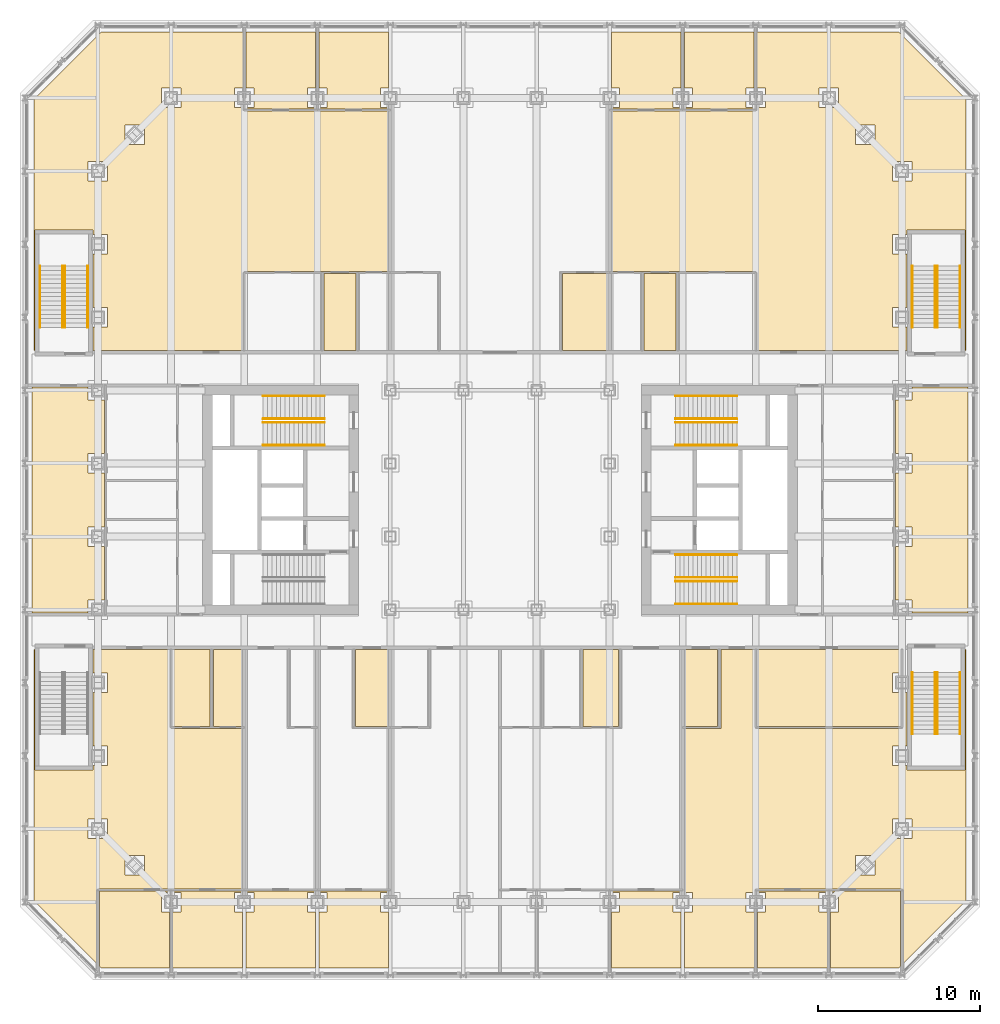
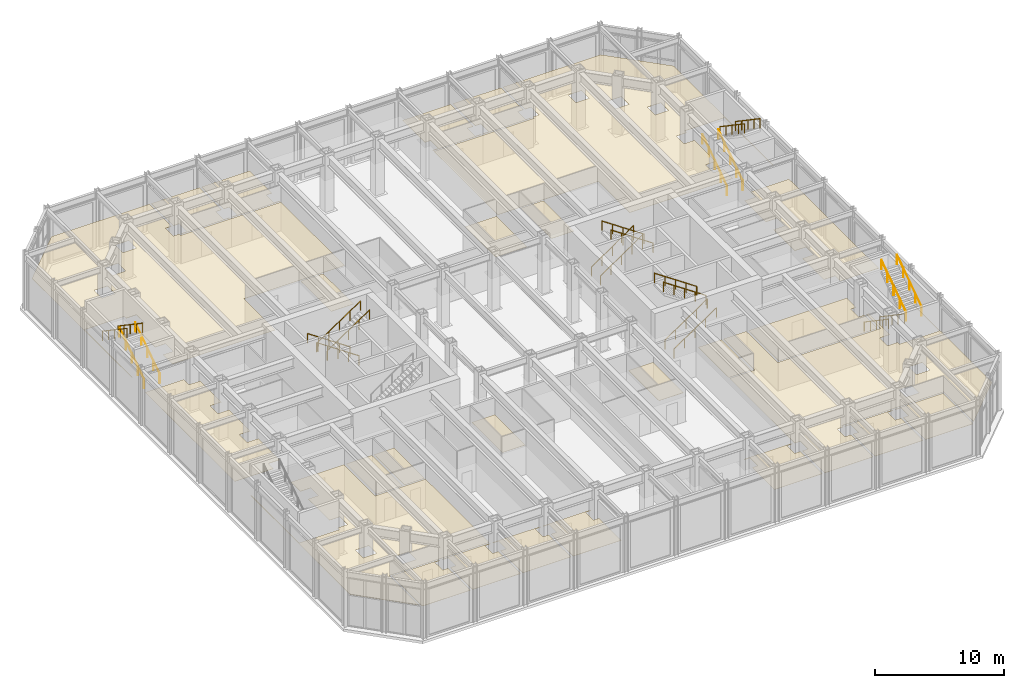
# One storey, part 19 of 19: 24 railings, 1 covering.
"""IFC4 building model written with IfcOpenShell, lengths in metres."""

from ifc_helpers import new_model, si_unit, direction, frame, origin, origin_2d, place, context, subcontext, project, spatial, line, indexed_curve, circle, outline, extrude, material, layer, layer_set, type_object, element, save


model = new_model("IFC4")

# Units and contexts
model_context = context("Model", 3, precision=1e-05, world=origin(), true_north=direction((0.0, 1.0)))
body_context = subcontext(model_context, "Body", "Model", "MODEL_VIEW")
ifc_project = project(units=[si_unit("LENGTHUNIT", "METRE"), si_unit("AREAUNIT", "SQUARE_METRE"), si_unit("VOLUMEUNIT", "CUBIC_METRE"), si_unit("PLANEANGLEUNIT", "RADIAN"), si_unit("MASSUNIT", "GRAM", prefix="KILO")], contexts=[model_context])

# Site, building, storey
site_placement = place(None, origin())
site = spatial("IfcSite", under=ifc_project, at=site_placement, CompositionType="ELEMENT")
building_placement = place(site_placement, origin())
building = spatial("IfcBuilding", under=site, at=building_placement, Name="Msasa Ring Tower", CompositionType="ELEMENT")
storey_placement = place(building_placement, frame((0.0, 0.0, 16.0)))
storey = spatial("IfcBuildingStorey", under=building, at=storey_placement, Name="L03", CompositionType="ELEMENT", Elevation=16.0)

# Covering
ifc_material_1 = material(Name="Mineral fibre ceiling tiles on an exposed steel grid", Category="steel")
ifc_layer = layer(ifc_material_1, 0.02001953125)
ifc_layer_set = layer_set([ifc_layer], Name="C3 ACOUSTIC MINERAL FIBRE TILE CEILING 20")
covering_type = type_object("IfcCoveringType", Name="C3 ACOUSTIC MINERAL FIBRE TILE CEILING 20", PredefinedType="CEILING", material=ifc_layer_set)
covering_placement = place(storey_placement, frame((0.0, 0.0, 2.699951171875)))
element("IfcCovering", 1, at=covering_placement, inside=storey, type_object=covering_type, Name="Acoustic Mineral Fibre Tile Ceiling 20 L03", PredefinedType="CEILING", context=body_context, shape_type="SweptSolid", body=[
    extrude(outline(indexed_curve([(-28.799560546875, 6.949462890625), (-25.3505859375, 6.949462890625), (-25.3505859375, 6.1494140625), (-24.3505859375, 6.1494140625), (-24.3505859375, 2.8505859375), (-25.3505859375, 2.8505859375), (-25.3505859375, 1.6494140625), (-24.3505859375, 1.6494140625), (-24.3505859375, -1.6494140625), (-25.3505859375, -1.6494140625), (-25.3505859375, -2.8505859375), (-24.3505859375, -2.8505859375), (-24.3505859375, -6.1494140625), (-25.3505859375, -6.1494140625), (-25.3505859375, -6.949462890625), (-28.799560546875, -6.949462890625)], segments=[line(1, 2, 3, 4, 5, 6, 7, 8, 9, 10, 11, 12, 13, 14, 15, 16, 1)], self_intersect=False)), origin(), (0.0, 0.0, 1.0), 0.02001953125),
    extrude(outline(indexed_curve([(-25.069580078125, -16.630615234375), (-25.069580078125, -16.3505859375), (-24.1494140625, -16.3505859375), (-24.1494140625, -15.1494140625), (-25.069580078125, -15.1494140625), (-25.069580078125, -11.8505859375), (-24.1494140625, -11.8505859375), (-24.1494140625, -10.6494140625), (-25.069580078125, -10.6494140625), (-25.069580078125, -9.200439453125), (-20.3505859375, -9.200439453125), (-20.3505859375, -14.060546875), (-15.8505859375, -14.060546875), (-15.8505859375, -23.939453125), (-24.810546875, -23.939453125), (-24.810546875, -28.552490234375), (-28.699462890625, -24.663330078125), (-28.699462890625, -9.200439453125), (-28.630615234375, -9.200439453125), (-28.630615234375, -16.630615234375)], segments=[line(1, 2, 3, 4, 5, 6, 7, 8, 9, 10, 11, 12, 13, 14, 15, 16, 17, 18, 19, 20, 1)], self_intersect=False), holes=[indexed_curve([(-23.1005859375, -23.1005859375), (-21.8994140625, -23.1005859375), (-21.8994140625, -21.8994140625), (-23.1005859375, -21.8994140625)], segments=[line(1, 2, 3, 4, 1)], self_intersect=False), indexed_curve([(-24.1494140625, -20.8505859375), (-24.1494140625, -19.6494140625), (-25.3505859375, -19.6494140625), (-25.3505859375, -20.8505859375)], segments=[line(1, 2, 3, 4, 1)], self_intersect=False)]), origin(), (0.0, 0.0, 1.0), 0.02001953125),
    extrude(outline(indexed_curve([(-25.069580078125, 9.200439453125), (-25.069580078125, 10.6494140625), (-24.1494140625, 10.6494140625), (-24.1494140625, 11.8505859375), (-25.069580078125, 11.8505859375), (-25.069580078125, 15.1494140625), (-24.1494140625, 15.1494140625), (-24.1494140625, 16.3505859375), (-25.069580078125, 16.3505859375), (-25.069580078125, 16.630615234375), (-28.630615234375, 16.630615234375), (-28.630615234375, 9.200439453125), (-28.699462890625, 9.200439453125), (-28.699462890625, 24.663330078125), (-24.5634765625, 28.799560546875), (-15.810546875, 28.799560546875), (-15.810546875, 25.3505859375), (-16.3505859375, 25.3505859375), (-16.3505859375, 24.1494140625), (-15.810546875, 24.1494140625), (-15.810546875, 23.939453125), (-6.8505859375, 23.939453125), (-6.8505859375, 14.060546875), (-15.8505859375, 14.060546875), (-15.8505859375, 9.200439453125)], segments=[line(1, 2, 3, 4, 5, 6, 7, 8, 9, 10, 11, 12, 13, 14, 15, 16, 17, 18, 19, 20, 21, 22, 23, 24, 25, 1)], self_intersect=False), holes=[indexed_curve([(-25.3505859375, 19.6494140625), (-24.1494140625, 19.6494140625), (-24.1494140625, 20.8505859375), (-25.3505859375, 20.8505859375)], segments=[line(1, 2, 3, 4, 1)], self_intersect=False), indexed_curve([(-21.8994140625, 21.8994140625), (-21.8994140625, 23.1005859375), (-23.1005859375, 23.1005859375), (-23.1005859375, 21.8994140625)], segments=[line(1, 2, 3, 4, 1)], self_intersect=False), indexed_curve([(-20.8505859375, 24.1494140625), (-19.6494140625, 24.1494140625), (-19.6494140625, 25.3505859375), (-20.8505859375, 25.3505859375)], segments=[line(1, 2, 3, 4, 1)], self_intersect=False)]), origin(), (0.0, 0.0, 1.0), 0.02001953125),
    extrude(outline(indexed_curve([(-24.6494140625, -24.060546875), (-20.3505859375, -24.060546875), (-20.3505859375, -24.1494140625), (-20.8505859375, -24.1494140625), (-20.8505859375, -25.3505859375), (-20.3505859375, -25.3505859375), (-20.3505859375, -28.799560546875), (-24.5634765625, -28.799560546875), (-24.6494140625, -28.71337890625)], segments=[line(1, 2, 3, 4, 5, 6, 7, 8, 9, 1)], self_intersect=False)), origin(), (0.0, 0.0, 1.0), 0.02001953125),
    extrude(outline(indexed_curve([(-15.8505859375, -24.1494140625), (-16.3505859375, -24.1494140625), (-16.3505859375, -25.3505859375), (-15.8505859375, -25.3505859375), (-15.8505859375, -28.799560546875), (-20.1494140625, -28.799560546875), (-20.1494140625, -25.3505859375), (-19.6494140625, -25.3505859375), (-19.6494140625, -24.1494140625), (-20.1494140625, -24.1494140625), (-20.1494140625, -24.060546875), (-15.8505859375, -24.060546875)], segments=[line(1, 2, 3, 4, 5, 6, 7, 8, 9, 10, 11, 12, 1)], self_intersect=False)), origin(), (0.0, 0.0, 1.0), 0.02001953125),
    extrude(outline(indexed_curve([(-17.8505859375, -9.200439453125), (-17.8505859375, -13.939453125), (-20.1494140625, -13.939453125), (-20.1494140625, -9.200439453125)], segments=[line(1, 2, 3, 4, 1)], self_intersect=False)), origin(), (0.0, 0.0, 1.0), 0.02001953125),
    extrude(outline(indexed_curve([(-17.6494140625, -9.200439453125), (-15.8505859375, -9.200439453125), (-15.8505859375, -13.939453125), (-17.6494140625, -13.939453125)], segments=[line(1, 2, 3, 4, 1)], self_intersect=False)), origin(), (0.0, 0.0, 1.0), 0.02001953125),
    extrude(outline(indexed_curve([(-11.3505859375, -24.1494140625), (-11.8505859375, -24.1494140625), (-11.8505859375, -25.3505859375), (-11.3505859375, -25.3505859375), (-11.3505859375, -28.799560546875), (-15.6494140625, -28.799560546875), (-15.6494140625, -25.3505859375), (-15.1494140625, -25.3505859375), (-15.1494140625, -24.1494140625), (-15.6494140625, -24.1494140625), (-15.6494140625, -24.060546875), (-11.3505859375, -24.060546875)], segments=[line(1, 2, 3, 4, 5, 6, 7, 8, 9, 10, 11, 12, 1)], self_intersect=False)), origin(), (0.0, 0.0, 1.0), 0.02001953125),
    extrude(outline(indexed_curve([(-15.6494140625, 24.1494140625), (-15.1494140625, 24.1494140625), (-15.1494140625, 25.3505859375), (-15.6494140625, 25.3505859375), (-15.6494140625, 28.799560546875), (-11.3505859375, 28.799560546875), (-11.3505859375, 25.3505859375), (-11.8505859375, 25.3505859375), (-11.8505859375, 24.1494140625), (-11.3505859375, 24.1494140625), (-11.3505859375, 24.060546875), (-15.6494140625, 24.060546875)], segments=[line(1, 2, 3, 4, 5, 6, 7, 8, 9, 10, 11, 12, 1)], self_intersect=False)), origin(), (0.0, 0.0, 1.0), 0.02001953125),
    extrude(outline(indexed_curve([(-6.8505859375, -24.060546875), (-6.8505859375, -24.1494140625), (-7.3505859375, -24.1494140625), (-7.3505859375, -25.3505859375), (-6.8505859375, -25.3505859375), (-6.8505859375, -28.799560546875), (-11.1494140625, -28.799560546875), (-11.1494140625, -25.3505859375), (-10.6494140625, -25.3505859375), (-10.6494140625, -24.1494140625), (-11.1494140625, -24.1494140625), (-11.1494140625, -24.060546875)], segments=[line(1, 2, 3, 4, 5, 6, 7, 8, 9, 10, 11, 12, 1)], self_intersect=False)), origin(), (0.0, 0.0, 1.0), 0.02001953125),
    extrude(outline(indexed_curve([(-11.1494140625, 24.1494140625), (-10.6494140625, 24.1494140625), (-10.6494140625, 25.3505859375), (-11.1494140625, 25.3505859375), (-11.1494140625, 28.799560546875), (-6.8505859375, 28.799560546875), (-6.8505859375, 25.3505859375), (-7.3505859375, 25.3505859375), (-7.3505859375, 24.1494140625), (-6.8505859375, 24.1494140625), (-6.8505859375, 24.060546875), (-11.1494140625, 24.060546875)], segments=[line(1, 2, 3, 4, 5, 6, 7, 8, 9, 10, 11, 12, 1)], self_intersect=False)), origin(), (0.0, 0.0, 1.0), 0.02001953125),
    extrude(outline(indexed_curve([(-8.8505859375, 13.939453125), (-8.8505859375, 9.200439453125), (-10.849609375, 9.200439453125), (-10.849609375, 13.939453125)], segments=[line(1, 2, 3, 4, 1)], self_intersect=False)), origin(), (0.0, 0.0, 1.0), 0.02001953125),
    extrude(outline(indexed_curve([(-6.8505859375, -9.200439453125), (-6.8505859375, -13.939453125), (-8.8994140625, -13.939453125), (-8.8994140625, -9.200439453125)], segments=[line(1, 2, 3, 4, 1)], self_intersect=False)), origin(), (0.0, 0.0, 1.0), 0.02001953125),
    extrude(outline(indexed_curve([(6.6494140625, 13.939453125), (6.6494140625, 9.200439453125), (3.8505859375, 9.200439453125), (3.8505859375, 13.939453125)], segments=[line(1, 2, 3, 4, 1)], self_intersect=False)), origin(), (0.0, 0.0, 1.0), 0.02001953125),
    extrude(outline(indexed_curve([(7.299560546875, -9.200439453125), (7.299560546875, -13.939453125), (5.1005859375, -13.939453125), (5.1005859375, -9.200439453125)], segments=[line(1, 2, 3, 4, 1)], self_intersect=False)), origin(), (0.0, 0.0, 1.0), 0.02001953125),
    extrude(outline(indexed_curve([(11.1494140625, -24.060546875), (11.1494140625, -24.1494140625), (10.6494140625, -24.1494140625), (10.6494140625, -25.3505859375), (11.1494140625, -25.3505859375), (11.1494140625, -28.799560546875), (6.8505859375, -28.799560546875), (6.8505859375, -25.3505859375), (7.3505859375, -25.3505859375), (7.3505859375, -24.1494140625), (6.8505859375, -24.1494140625), (6.8505859375, -24.060546875)], segments=[line(1, 2, 3, 4, 5, 6, 7, 8, 9, 10, 11, 12, 1)], self_intersect=False)), origin(), (0.0, 0.0, 1.0), 0.02001953125),
    extrude(outline(indexed_curve([(28.630615234375, 16.630615234375), (25.069580078125, 16.630615234375), (25.069580078125, 16.3505859375), (24.1494140625, 16.3505859375), (24.1494140625, 15.1494140625), (25.069580078125, 15.1494140625), (25.069580078125, 11.8505859375), (24.1494140625, 11.8505859375), (24.1494140625, 10.6494140625), (25.069580078125, 10.6494140625), (25.069580078125, 9.200439453125), (15.8505859375, 9.200439453125), (15.8505859375, 14.060546875), (6.8505859375, 14.060546875), (6.8505859375, 23.939453125), (15.810546875, 23.939453125), (15.810546875, 24.1494140625), (16.3505859375, 24.1494140625), (16.3505859375, 25.3505859375), (15.810546875, 25.3505859375), (15.810546875, 28.799560546875), (24.5634765625, 28.799560546875), (28.699462890625, 24.663330078125), (28.699462890625, 9.200439453125), (28.630615234375, 9.200439453125)], segments=[line(1, 2, 3, 4, 5, 6, 7, 8, 9, 10, 11, 12, 13, 14, 15, 16, 17, 18, 19, 20, 21, 22, 23, 24, 25, 1)], self_intersect=False), holes=[indexed_curve([(24.1494140625, 19.6494140625), (25.3505859375, 19.6494140625), (25.3505859375, 20.8505859375), (24.1494140625, 20.8505859375)], segments=[line(1, 2, 3, 4, 1)], self_intersect=False), indexed_curve([(21.8994140625, 21.8994140625), (23.1005859375, 21.8994140625), (23.1005859375, 23.1005859375), (21.8994140625, 23.1005859375)], segments=[line(1, 2, 3, 4, 1)], self_intersect=False), indexed_curve([(19.6494140625, 24.1494140625), (20.8505859375, 24.1494140625), (20.8505859375, 25.3505859375), (19.6494140625, 25.3505859375)], segments=[line(1, 2, 3, 4, 1)], self_intersect=False)]), origin(), (0.0, 0.0, 1.0), 0.02001953125),
    extrude(outline(indexed_curve([(11.1494140625, 28.799560546875), (11.1494140625, 25.3505859375), (10.6494140625, 25.3505859375), (10.6494140625, 24.1494140625), (11.1494140625, 24.1494140625), (11.1494140625, 24.060546875), (6.8505859375, 24.060546875), (6.8505859375, 24.1494140625), (7.3505859375, 24.1494140625), (7.3505859375, 25.3505859375), (6.8505859375, 25.3505859375), (6.8505859375, 28.799560546875)], segments=[line(1, 2, 3, 4, 5, 6, 7, 8, 9, 10, 11, 12, 1)], self_intersect=False)), origin(), (0.0, 0.0, 1.0), 0.02001953125),
    extrude(outline(indexed_curve([(10.849609375, 13.939453125), (10.849609375, 9.200439453125), (8.8505859375, 9.200439453125), (8.8505859375, 13.939453125)], segments=[line(1, 2, 3, 4, 1)], self_intersect=False)), origin(), (0.0, 0.0, 1.0), 0.02001953125),
    extrude(outline(indexed_curve([(25.069580078125, -15.1494140625), (24.1494140625, -15.1494140625), (24.1494140625, -16.3505859375), (25.069580078125, -16.3505859375), (25.069580078125, -16.630615234375), (28.630615234375, -16.630615234375), (28.630615234375, -9.200439453125), (28.699462890625, -9.200439453125), (28.699462890625, -24.663330078125), (24.810546875, -28.552490234375), (24.810546875, -23.939453125), (15.689453125, -23.939453125), (15.689453125, -24.1494140625), (15.1494140625, -24.1494140625), (15.1494140625, -25.3505859375), (15.689453125, -25.3505859375), (15.689453125, -28.799560546875), (11.3505859375, -28.799560546875), (11.3505859375, -25.3505859375), (11.8505859375, -25.3505859375), (11.8505859375, -24.1494140625), (11.3505859375, -24.1494140625), (11.3505859375, -14.060546875), (13.6005859375, -14.060546875), (13.6005859375, -9.200439453125), (15.6494140625, -9.200439453125), (15.6494140625, -14.060546875), (24.8505859375, -14.060546875), (24.8505859375, -11.8505859375), (25.069580078125, -11.8505859375)], segments=[line(1, 2, 3, 4, 5, 6, 7, 8, 9, 10, 11, 12, 13, 14, 15, 16, 17, 18, 19, 20, 21, 22, 23, 24, 25, 26, 27, 28, 29, 30, 1)], self_intersect=False), holes=[indexed_curve([(21.8994140625, -23.1005859375), (23.1005859375, -23.1005859375), (23.1005859375, -21.8994140625), (21.8994140625, -21.8994140625)], segments=[line(1, 2, 3, 4, 1)], self_intersect=False), indexed_curve([(24.1494140625, -20.8505859375), (25.3505859375, -20.8505859375), (25.3505859375, -19.6494140625), (24.1494140625, -19.6494140625)], segments=[line(1, 2, 3, 4, 1)], self_intersect=False)]), origin(), (0.0, 0.0, 1.0), 0.02001953125),
    extrude(outline(indexed_curve([(13.3994140625, -9.200439453125), (13.3994140625, -13.939453125), (11.3505859375, -13.939453125), (11.3505859375, -9.200439453125)], segments=[line(1, 2, 3, 4, 1)], self_intersect=False)), origin(), (0.0, 0.0, 1.0), 0.02001953125),
    extrude(outline(indexed_curve([(11.3505859375, 24.1494140625), (11.8505859375, 24.1494140625), (11.8505859375, 25.3505859375), (11.3505859375, 25.3505859375), (11.3505859375, 28.799560546875), (15.6494140625, 28.799560546875), (15.6494140625, 25.3505859375), (15.1494140625, 25.3505859375), (15.1494140625, 24.1494140625), (15.6494140625, 24.1494140625), (15.6494140625, 24.060546875), (11.3505859375, 24.060546875)], segments=[line(1, 2, 3, 4, 5, 6, 7, 8, 9, 10, 11, 12, 1)], self_intersect=False)), origin(), (0.0, 0.0, 1.0), 0.02001953125),
    extrude(outline(indexed_curve([(20.1494140625, -24.1494140625), (19.6494140625, -24.1494140625), (19.6494140625, -25.3505859375), (20.1494140625, -25.3505859375), (20.1494140625, -28.799560546875), (15.8505859375, -28.799560546875), (15.8505859375, -25.3505859375), (16.3505859375, -25.3505859375), (16.3505859375, -24.1494140625), (15.8505859375, -24.1494140625), (15.8505859375, -24.060546875), (20.1494140625, -24.060546875)], segments=[line(1, 2, 3, 4, 5, 6, 7, 8, 9, 10, 11, 12, 1)], self_intersect=False)), origin(), (0.0, 0.0, 1.0), 0.02001953125),
    extrude(outline(indexed_curve([(15.8505859375, -9.200439453125), (24.6494140625, -9.200439453125), (24.6494140625, -10.6494140625), (24.1494140625, -10.6494140625), (24.1494140625, -11.8505859375), (24.6494140625, -11.8505859375), (24.6494140625, -13.939453125), (15.8505859375, -13.939453125)], segments=[line(1, 2, 3, 4, 5, 6, 7, 8, 1)], self_intersect=False)), origin(), (0.0, 0.0, 1.0), 0.02001953125),
    extrude(outline(indexed_curve([(24.6494140625, -24.060546875), (24.6494140625, -28.71337890625), (24.5634765625, -28.799560546875), (20.3505859375, -28.799560546875), (20.3505859375, -25.3505859375), (20.8505859375, -25.3505859375), (20.8505859375, -24.1494140625), (20.3505859375, -24.1494140625), (20.3505859375, -24.060546875)], segments=[line(1, 2, 3, 4, 5, 6, 7, 8, 9, 1)], self_intersect=False)), origin(), (0.0, 0.0, 1.0), 0.02001953125),
    extrude(outline(indexed_curve([(24.3505859375, -2.8505859375), (25.3505859375, -2.8505859375), (25.3505859375, -1.6494140625), (24.3505859375, -1.6494140625), (24.3505859375, 1.6494140625), (25.3505859375, 1.6494140625), (25.3505859375, 2.8505859375), (24.3505859375, 2.8505859375), (24.3505859375, 6.1494140625), (25.3505859375, 6.1494140625), (25.3505859375, 6.949462890625), (28.799560546875, 6.949462890625), (28.799560546875, -6.949462890625), (25.3505859375, -6.949462890625), (25.3505859375, -6.1494140625), (24.3505859375, -6.1494140625)], segments=[line(1, 2, 3, 4, 5, 6, 7, 8, 9, 10, 11, 12, 13, 14, 15, 16, 1)], self_intersect=False)), origin(), (0.0, 0.0, 1.0), 0.02001953125),
])

# Railings
ifc_material_2 = material(Name="Stainless steel", Category="steel")
railing_type = type_object("IfcRailingType", Name="HR1 HANDRAIL 900", PredefinedType="HANDRAIL", material=ifc_material_2)
for number, where, name in (
    (2, (10.800048828125, -6.39990234375, 0.183349609375), "Handrail stair SEA L03 1"),
    (3, (10.800048828125, -5.0, 0.183349609375), "Handrail stair SEA L03 2"),
):
    element("IfcRailing", number, at=place(storey_placement, frame(where)), inside=storey, type_object=railing_type, Name=name, PredefinedType="HANDRAIL", context=body_context, shape_type="SweptSolid", body=[
        extrude(circle(Radius=0.02392578125, at=origin_2d()), frame((0.0, 0.0, 0.8759765625), z_axis=(0.827309931321, 0.0, 0.561745741005), x_axis=(0.0, 1.0, 0.0)), (0.0, 0.0, 1.0), 4.569091796875),
        extrude(circle(Radius=0.02099609375, at=origin_2d()), origin(), (0.0, 0.0, 1.0), 0.851806640625),
        extrude(circle(Radius=0.02099609375, at=origin_2d()), frame((0.945068359375, 0.0, 0.6416015625)), (0.0, 0.0, 1.0), 0.851806640625),
        extrude(circle(Radius=0.02099609375, at=origin_2d()), frame((1.89013671875, 0.0, 1.283203125)), (0.0, 0.0, 1.0), 0.851806640625),
        extrude(circle(Radius=0.02099609375, at=origin_2d()), frame((2.8349609375, 0.0, 1.925048828125)), (0.0, 0.0, 1.0), 0.851806640625),
        extrude(circle(Radius=0.02099609375, at=origin_2d()), frame((3.780029296875, 0.0, 2.566650390625)), (0.0, 0.0, 1.0), 0.851806640625),
    ])
for number, where, name in (
    (4, (14.580078125, -4.77490234375, 2.933349609375), "Handrail stair SEA L03 3"),
    (5, (14.580078125, -3.375, 2.933349609375), "Handrail stair SEA L03 4"),
):
    element("IfcRailing", number, at=place(storey_placement, frame(where)), inside=storey, type_object=railing_type, Name=name, PredefinedType="HANDRAIL", context=body_context, shape_type="SweptSolid", body=[
        extrude(circle(Radius=0.02392578125, at=origin_2d()), frame((0.0, 0.0, 0.8759765625), z_axis=(-0.827309931321, 0.0, 0.561745741005), x_axis=(0.0, -1.0, 0.0)), (0.0, 0.0, 1.0), 4.569091796875),
        extrude(circle(Radius=0.02099609375, at=origin_2d()), origin(), (0.0, 0.0, 1.0), 0.851806640625),
        extrude(circle(Radius=0.02099609375, at=origin_2d()), frame((-0.945068359375, 0.0, 0.6416015625)), (0.0, 0.0, 1.0), 0.851806640625),
        extrude(circle(Radius=0.02099609375, at=origin_2d()), frame((-1.89013671875, 0.0, 1.283203125)), (0.0, 0.0, 1.0), 0.851806640625),
        extrude(circle(Radius=0.02099609375, at=origin_2d()), frame((-2.8349609375, 0.0, 1.925048828125)), (0.0, 0.0, 1.0), 0.851806640625),
        extrude(circle(Radius=0.02099609375, at=origin_2d()), frame((-3.780029296875, 0.0, 2.566650390625)), (0.0, 0.0, 1.0), 0.851806640625),
    ])
for number, where, name in (
    (6, (10.800048828125, 5.0, 0.183349609375), "Handrail stair SEB L03 1"),
    (7, (10.800048828125, 6.39990234375, 0.183349609375), "Handrail stair SEB L03 2"),
):
    element("IfcRailing", number, at=place(storey_placement, frame(where)), inside=storey, type_object=railing_type, Name=name, PredefinedType="HANDRAIL", context=body_context, shape_type="SweptSolid", body=[
        extrude(circle(Radius=0.02392578125, at=origin_2d()), frame((0.0, 0.0, 0.8759765625), z_axis=(0.827309931321, 0.0, 0.561745741005), x_axis=(0.0, 1.0, 0.0)), (0.0, 0.0, 1.0), 4.569091796875),
        extrude(circle(Radius=0.02099609375, at=origin_2d()), origin(), (0.0, 0.0, 1.0), 0.851806640625),
        extrude(circle(Radius=0.02099609375, at=origin_2d()), frame((0.945068359375, 0.0, 0.6416015625)), (0.0, 0.0, 1.0), 0.851806640625),
        extrude(circle(Radius=0.02099609375, at=origin_2d()), frame((1.89013671875, 0.0, 1.283203125)), (0.0, 0.0, 1.0), 0.851806640625),
        extrude(circle(Radius=0.02099609375, at=origin_2d()), frame((2.8349609375, 0.0, 1.925048828125)), (0.0, 0.0, 1.0), 0.851806640625),
        extrude(circle(Radius=0.02099609375, at=origin_2d()), frame((3.780029296875, 0.0, 2.566650390625)), (0.0, 0.0, 1.0), 0.851806640625),
    ])
for number, where, name in (
    (8, (14.580078125, 3.375, 2.933349609375), "Handrail stair SEB L03 3"),
    (9, (14.580078125, 4.77490234375, 2.933349609375), "Handrail stair SEB L03 4"),
    (10, (-10.800048828125, 5.0, 0.183349609375), "Handrail stair SWB L03 1"),
    (11, (-10.800048828125, 6.39990234375, 0.183349609375), "Handrail stair SWB L03 2"),
):
    element("IfcRailing", number, at=place(storey_placement, frame(where)), inside=storey, type_object=railing_type, Name=name, PredefinedType="HANDRAIL", context=body_context, shape_type="SweptSolid", body=[
        extrude(circle(Radius=0.02392578125, at=origin_2d()), frame((0.0, 0.0, 0.8759765625), z_axis=(-0.827309931321, 0.0, 0.561745741005), x_axis=(0.0, -1.0, 0.0)), (0.0, 0.0, 1.0), 4.569091796875),
        extrude(circle(Radius=0.02099609375, at=origin_2d()), origin(), (0.0, 0.0, 1.0), 0.851806640625),
        extrude(circle(Radius=0.02099609375, at=origin_2d()), frame((-0.945068359375, 0.0, 0.6416015625)), (0.0, 0.0, 1.0), 0.851806640625),
        extrude(circle(Radius=0.02099609375, at=origin_2d()), frame((-1.89013671875, 0.0, 1.283203125)), (0.0, 0.0, 1.0), 0.851806640625),
        extrude(circle(Radius=0.02099609375, at=origin_2d()), frame((-2.8349609375, 0.0, 1.925048828125)), (0.0, 0.0, 1.0), 0.851806640625),
        extrude(circle(Radius=0.02099609375, at=origin_2d()), frame((-3.780029296875, 0.0, 2.566650390625)), (0.0, 0.0, 1.0), 0.851806640625),
    ])
for number, where, name in (
    (12, (-14.580078125, 3.375, 2.933349609375), "Handrail stair SWB L03 3"),
    (13, (-14.580078125, 4.77490234375, 2.933349609375), "Handrail stair SWB L03 4"),
):
    element("IfcRailing", number, at=place(storey_placement, frame(where)), inside=storey, type_object=railing_type, Name=name, PredefinedType="HANDRAIL", context=body_context, shape_type="SweptSolid", body=[
        extrude(circle(Radius=0.02392578125, at=origin_2d()), frame((0.0, 0.0, 0.8759765625), z_axis=(0.827309931321, 0.0, 0.561745741005), x_axis=(0.0, 1.0, 0.0)), (0.0, 0.0, 1.0), 4.569091796875),
        extrude(circle(Radius=0.02099609375, at=origin_2d()), origin(), (0.0, 0.0, 1.0), 0.851806640625),
        extrude(circle(Radius=0.02099609375, at=origin_2d()), frame((0.945068359375, 0.0, 0.6416015625)), (0.0, 0.0, 1.0), 0.851806640625),
        extrude(circle(Radius=0.02099609375, at=origin_2d()), frame((1.89013671875, 0.0, 1.283203125)), (0.0, 0.0, 1.0), 0.851806640625),
        extrude(circle(Radius=0.02099609375, at=origin_2d()), frame((2.8349609375, 0.0, 1.925048828125)), (0.0, 0.0, 1.0), 0.851806640625),
        extrude(circle(Radius=0.02099609375, at=origin_2d()), frame((3.780029296875, 0.0, 2.566650390625)), (0.0, 0.0, 1.0), 0.851806640625),
    ])
for number, where, name in (
    (14, (25.375, 10.625, 0.183349609375), "Handrail podium stair PEN L03 1"),
    (15, (26.77490234375, 10.625, 0.183349609375), "Handrail podium stair PEN L03 2"),
):
    element("IfcRailing", number, at=place(storey_placement, frame(where)), inside=storey, type_object=railing_type, Name=name, PredefinedType="HANDRAIL", context=body_context, shape_type="SweptSolid", body=[
        extrude(circle(Radius=0.02392578125, at=origin_2d()), frame((0.0, 0.0, 0.8759765625), z_axis=(0.0, 0.827309931321, 0.561745741005), x_axis=(-1.0, 0.0, 0.0)), (0.0, 0.0, 1.0), 4.569091796875),
        extrude(circle(Radius=0.02099609375, at=origin_2d()), origin(), (0.0, 0.0, 1.0), 0.851806640625),
        extrude(circle(Radius=0.02099609375, at=origin_2d()), frame((0.0, 0.945068359375, 0.6416015625)), (0.0, 0.0, 1.0), 0.851806640625),
        extrude(circle(Radius=0.02099609375, at=origin_2d()), frame((0.0, 1.89013671875, 1.283203125)), (0.0, 0.0, 1.0), 0.851806640625),
        extrude(circle(Radius=0.02099609375, at=origin_2d()), frame((0.0, 2.8349609375, 1.925048828125)), (0.0, 0.0, 1.0), 0.851806640625),
        extrude(circle(Radius=0.02099609375, at=origin_2d()), frame((0.0, 3.780029296875, 2.566650390625)), (0.0, 0.0, 1.0), 0.851806640625),
    ])
for number, where, name in (
    (16, (26.925048828125, 14.405029296875, 2.933349609375), "Handrail podium stair PEN L03 3"),
    (17, (28.324951171875, 14.405029296875, 2.933349609375), "Handrail podium stair PEN L03 4"),
    (18, (25.375, -10.625, 0.183349609375), "Handrail podium stair PES L03 1"),
    (19, (26.77490234375, -10.625, 0.183349609375), "Handrail podium stair PES L03 2"),
):
    element("IfcRailing", number, at=place(storey_placement, frame(where)), inside=storey, type_object=railing_type, Name=name, PredefinedType="HANDRAIL", context=body_context, shape_type="SweptSolid", body=[
        extrude(circle(Radius=0.02392578125, at=origin_2d()), frame((0.0, 0.0, 0.8759765625), z_axis=(0.0, -0.827309931321, 0.561745741005), x_axis=(1.0, 0.0, 0.0)), (0.0, 0.0, 1.0), 4.569091796875),
        extrude(circle(Radius=0.02099609375, at=origin_2d()), origin(), (0.0, 0.0, 1.0), 0.851806640625),
        extrude(circle(Radius=0.02099609375, at=origin_2d()), frame((0.0, -0.945068359375, 0.6416015625)), (0.0, 0.0, 1.0), 0.851806640625),
        extrude(circle(Radius=0.02099609375, at=origin_2d()), frame((0.0, -1.89013671875, 1.283203125)), (0.0, 0.0, 1.0), 0.851806640625),
        extrude(circle(Radius=0.02099609375, at=origin_2d()), frame((0.0, -2.8349609375, 1.925048828125)), (0.0, 0.0, 1.0), 0.851806640625),
        extrude(circle(Radius=0.02099609375, at=origin_2d()), frame((0.0, -3.780029296875, 2.566650390625)), (0.0, 0.0, 1.0), 0.851806640625),
    ])
for number, where, name in (
    (20, (26.925048828125, -14.405029296875, 2.933349609375), "Handrail podium stair PES L03 3"),
    (21, (28.324951171875, -14.405029296875, 2.933349609375), "Handrail podium stair PES L03 4"),
    (22, (-26.77490234375, 10.625, 0.183349609375), "Handrail podium stair PWN L03 1"),
    (23, (-25.375, 10.625, 0.183349609375), "Handrail podium stair PWN L03 2"),
):
    element("IfcRailing", number, at=place(storey_placement, frame(where)), inside=storey, type_object=railing_type, Name=name, PredefinedType="HANDRAIL", context=body_context, shape_type="SweptSolid", body=[
        extrude(circle(Radius=0.02392578125, at=origin_2d()), frame((0.0, 0.0, 0.8759765625), z_axis=(0.0, 0.827309931321, 0.561745741005), x_axis=(-1.0, 0.0, 0.0)), (0.0, 0.0, 1.0), 4.569091796875),
        extrude(circle(Radius=0.02099609375, at=origin_2d()), origin(), (0.0, 0.0, 1.0), 0.851806640625),
        extrude(circle(Radius=0.02099609375, at=origin_2d()), frame((0.0, 0.945068359375, 0.6416015625)), (0.0, 0.0, 1.0), 0.851806640625),
        extrude(circle(Radius=0.02099609375, at=origin_2d()), frame((0.0, 1.89013671875, 1.283203125)), (0.0, 0.0, 1.0), 0.851806640625),
        extrude(circle(Radius=0.02099609375, at=origin_2d()), frame((0.0, 2.8349609375, 1.925048828125)), (0.0, 0.0, 1.0), 0.851806640625),
        extrude(circle(Radius=0.02099609375, at=origin_2d()), frame((0.0, 3.780029296875, 2.566650390625)), (0.0, 0.0, 1.0), 0.851806640625),
    ])
for number, where, name in (
    (24, (-28.324951171875, 14.405029296875, 2.933349609375), "Handrail podium stair PWN L03 3"),
    (25, (-26.925048828125, 14.405029296875, 2.933349609375), "Handrail podium stair PWN L03 4"),
):
    element("IfcRailing", number, at=place(storey_placement, frame(where)), inside=storey, type_object=railing_type, Name=name, PredefinedType="HANDRAIL", context=body_context, shape_type="SweptSolid", body=[
        extrude(circle(Radius=0.02392578125, at=origin_2d()), frame((0.0, 0.0, 0.8759765625), z_axis=(0.0, -0.827309931321, 0.561745741005), x_axis=(1.0, 0.0, 0.0)), (0.0, 0.0, 1.0), 4.569091796875),
        extrude(circle(Radius=0.02099609375, at=origin_2d()), origin(), (0.0, 0.0, 1.0), 0.851806640625),
        extrude(circle(Radius=0.02099609375, at=origin_2d()), frame((0.0, -0.945068359375, 0.6416015625)), (0.0, 0.0, 1.0), 0.851806640625),
        extrude(circle(Radius=0.02099609375, at=origin_2d()), frame((0.0, -1.89013671875, 1.283203125)), (0.0, 0.0, 1.0), 0.851806640625),
        extrude(circle(Radius=0.02099609375, at=origin_2d()), frame((0.0, -2.8349609375, 1.925048828125)), (0.0, 0.0, 1.0), 0.851806640625),
        extrude(circle(Radius=0.02099609375, at=origin_2d()), frame((0.0, -3.780029296875, 2.566650390625)), (0.0, 0.0, 1.0), 0.851806640625),
    ])

save(model, "model.ifc")
